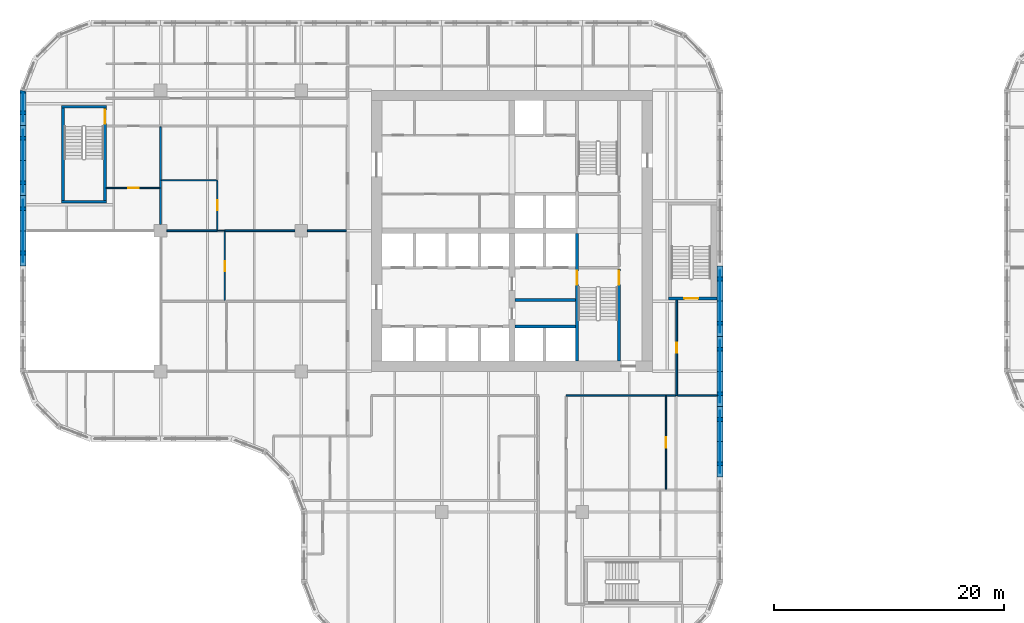
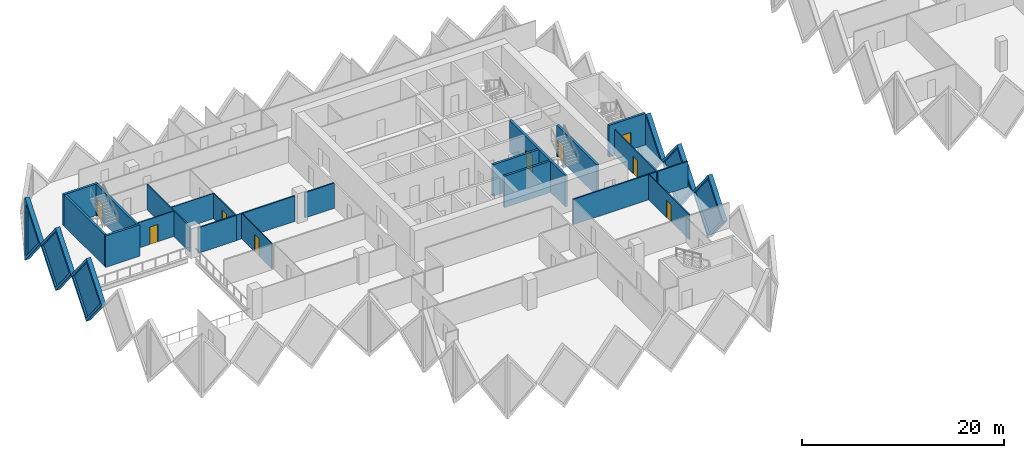
# One storey, part 7 of 18: 28 walls, 9 doors, 6 plates, 15 openings.
"""IFC4 building model written with IfcOpenShell, lengths in metres."""

from ifc_helpers import new_model, si_unit, direction, frame, frame_2d, origin, place, context, subcontext, project, spatial, polyline, rectangle, outline, extrude, faceted_brep, source, transform, mapped, material, layer, layer_set, type_object, element, fill, save


model = new_model("IFC4")

# Units and contexts
model_context = context("Model", 3, precision=1e-05, world=origin(), true_north=direction((0.0, 1.0)))
body_context = subcontext(model_context, "Body", "Model", "MODEL_VIEW")
ifc_project = project(units=[si_unit("LENGTHUNIT", "METRE"), si_unit("AREAUNIT", "SQUARE_METRE"), si_unit("VOLUMEUNIT", "CUBIC_METRE"), si_unit("PLANEANGLEUNIT", "RADIAN"), si_unit("MASSUNIT", "GRAM", prefix="KILO")], contexts=[model_context])

# Site, building, storey
site_placement = place(None, origin())
site = spatial("IfcSite", under=ifc_project, at=site_placement, CompositionType="ELEMENT")
building_placement = place(site_placement, origin())
building = spatial("IfcBuilding", under=site, at=building_placement, Name="Tessera Gate Towers", CompositionType="ELEMENT")
storey_placement = place(building_placement, frame((0.0, 0.0, 44.800048828125)))
storey = spatial("IfcBuildingStorey", under=building, at=storey_placement, Name="L10", CompositionType="ELEMENT", Elevation=44.800048828125)

# Wall, opening, door
ifc_material_1 = material(Name="Concrete C40/50", Category="concrete")
ifc_layer_1 = layer(ifc_material_1, 0.25)
ifc_layer_set_1 = layer_set([ifc_layer_1], Name="CORE ENCLOSURE WALL 250")
wall_type_1 = type_object("IfcWallType", Name="CORE ENCLOSURE WALL 250", PredefinedType="SOLIDWALL", material=ifc_layer_set_1)
wall_1_placement = place(storey_placement, frame((48.35009765625, 36.35009765625, 0.0), z_axis=(0.0, 0.0, 1.0), x_axis=(0.0, -1.0, 0.0)))
wall_1 = element("IfcWall", 1, at=wall_1_placement, inside=storey, type_object=wall_type_1, Name="L10 shaft and stair enclosure wall", PredefinedType="SOLIDWALL", context=body_context, shape_type="SweptSolid", body=[
    extrude(rectangle(XDim=11.050048828125, YDim=0.25, at=frame_2d((5.52490234375, 0.0))), origin(), (0.0, 0.0, 1.0), 3.800048828125),
])
shared_shape_1 = source(origin(), body_context, "Body", "SweptSolid", [
    extrude(rectangle(XDim=1.199951171875, YDim=2.10009765625, at=frame_2d((0.60009765625, 1.050048828125))), frame((0.0, 0.135009765625, 0.0), z_axis=(0.0, -1.0, 0.0), x_axis=(1.0, 0.0, 0.0)), (0.0, 0.0, 1.0), 0.27001953125),
])
opening_1_placement = place(wall_1_placement, frame((3.22509765625, 0.0, 0.0)))
opening_1 = element("IfcOpeningElement", 2, at=opening_1_placement, cuts=wall_1, Name="Opening SD-ST1-1", PredefinedType="OPENING", context=body_context, shape_type="MappedRepresentation", body=[
    mapped(shared_shape_1, transform((0.0, 0.0, 0.0), scale=1.0)),
])
ifc_material_2 = material(Name="Hollow steel fire door", Category="steel")
door_type_1 = type_object("IfcDoorType", Name="CORE DOOR SD 1200x2100", OperationType="NOTDEFINED", PredefinedType="DOOR", material=ifc_material_2)
shared_shape_2 = source(origin(), body_context, "Body", "SweptSolid", [
    extrude(rectangle(XDim=1.199951171875, YDim=2.10009765625, at=frame_2d((0.60009765625, 1.050048828125))), frame((0.0, 0.02490234375, 0.0), z_axis=(0.0, -1.0, 0.0), x_axis=(1.0, 0.0, 0.0)), (0.0, 0.0, 1.0), 0.050048828125),
])
door_1_placement = place(opening_1_placement, origin())
door_1 = element("IfcDoor", 3, at=door_1_placement, inside=storey, type_object=door_type_1, Name="Stair door", OperationType="SINGLE_SWING_LEFT", OverallHeight=2.10009765625, OverallWidth=1.199951171875, PredefinedType="DOOR", context=body_context, shape_type="MappedRepresentation", body=[
    mapped(shared_shape_2, transform((0.0, 0.0, 0.0), scale=1.0)),
])
fill(opening_1, door_1)

# Wall
wall_2_placement = place(storey_placement, frame((42.949951171875, 28.300048828125, 0.0), z_axis=(0.0, 0.0, 1.0), x_axis=(1.0, 0.0, 0.0)))
element("IfcWall", 4, at=wall_2_placement, inside=storey, type_object=wall_type_1, Name="L10 shaft and stair enclosure wall", PredefinedType="SOLIDWALL", context=body_context, shape_type="SweptSolid", body=[
    extrude(rectangle(XDim=5.275146484375, YDim=0.25, at=frame_2d((2.6376953125, 0.0))), origin(), (0.0, 0.0, 1.0), 3.800048828125),
])

# Wall, opening, door
wall_3_placement = place(storey_placement, frame((52.0, 25.300048828125, 0.0), z_axis=(0.0, 0.0, 1.0), x_axis=(0.0, 1.0, 0.0)))
wall_3 = element("IfcWall", 5, at=wall_3_placement, inside=storey, type_object=wall_type_1, Name="L10 shaft and stair enclosure wall", PredefinedType="SOLIDWALL", context=body_context, shape_type="SweptSolid", body=[
    extrude(rectangle(XDim=7.974853515625, YDim=0.25, at=frame_2d((3.9873046875, 0.0))), origin(), (0.0, 0.0, 1.0), 3.800048828125),
])
opening_2_placement = place(wall_3_placement, frame((6.625, 0.0, 0.0)))
opening_2 = element("IfcOpeningElement", 6, at=opening_2_placement, cuts=wall_3, Name="Opening SD-ST1-2", PredefinedType="OPENING", context=body_context, shape_type="MappedRepresentation", body=[
    mapped(shared_shape_1, transform((0.0, 0.0, 0.0), scale=1.0)),
])
door_2_placement = place(opening_2_placement, origin())
door_2 = element("IfcDoor", 7, at=door_2_placement, inside=storey, type_object=door_type_1, Name="Stair door", OperationType="SINGLE_SWING_RIGHT", OverallHeight=2.10009765625, OverallWidth=1.199951171875, PredefinedType="DOOR", context=body_context, shape_type="MappedRepresentation", body=[
    mapped(shared_shape_2, transform((0.0, 0.0, 0.0), scale=1.0)),
])
fill(opening_2, door_2)

# Walls
wall_4_placement = place(storey_placement, frame((42.949951171875, 30.60009765625, 0.0), z_axis=(0.0, 0.0, 1.0), x_axis=(1.0, 0.0, 0.0)))
element("IfcWall", 8, at=wall_4_placement, inside=storey, type_object=wall_type_1, Name="L10 shaft and stair enclosure wall", PredefinedType="SOLIDWALL", context=body_context, shape_type="SweptSolid", body=[
    extrude(rectangle(XDim=5.275146484375, YDim=0.25, at=frame_2d((2.6376953125, 0.0))), origin(), (0.0, 0.0, 1.0), 3.800048828125),
])
wall_5_placement = place(storey_placement, frame((7.5, 39.125, 0.0), z_axis=(0.0, 0.0, 1.0), x_axis=(-1.0, 0.0, 0.0)))
element("IfcWall", 9, at=wall_5_placement, inside=storey, type_object=wall_type_1, Name="L10 ST3 enclosure wall", PredefinedType="SOLIDWALL", context=body_context, shape_type="SweptSolid", body=[
    extrude(rectangle(XDim=3.89990234375, YDim=0.25, at=frame_2d((1.949951171875, 0.0))), origin(), (0.0, 0.0, 1.0), 3.800048828125),
])
wall_6_placement = place(storey_placement, frame((3.72509765625, 39.25, 0.0), z_axis=(0.0, 0.0, 1.0), x_axis=(0.0, 1.0, 0.0)))
element("IfcWall", 10, at=wall_6_placement, inside=storey, type_object=wall_type_1, Name="L10 ST3 enclosure wall", PredefinedType="SOLIDWALL", context=body_context, shape_type="SweptSolid", body=[
    extrude(rectangle(XDim=8.0, YDim=0.25, at=frame_2d((4.0, 0.0))), origin(), (0.0, 0.0, 1.0), 3.800048828125),
])
wall_7_placement = place(storey_placement, frame((3.60009765625, 47.375, 0.0), z_axis=(0.0, 0.0, 1.0), x_axis=(1.0, 0.0, 0.0)))
element("IfcWall", 11, at=wall_7_placement, inside=storey, type_object=wall_type_1, Name="L10 ST3 enclosure wall", PredefinedType="SOLIDWALL", context=body_context, shape_type="SweptSolid", body=[
    extrude(rectangle(XDim=3.89990234375, YDim=0.25, at=frame_2d((1.949951171875, 0.0))), origin(), (0.0, 0.0, 1.0), 3.800048828125),
])

# Wall, opening, door
wall_8_placement = place(storey_placement, frame((7.375, 47.25, 0.0), z_axis=(0.0, 0.0, 1.0), x_axis=(0.0, -1.0, 0.0)))
wall_8 = element("IfcWall", 12, at=wall_8_placement, inside=storey, type_object=wall_type_1, Name="L10 ST3 enclosure wall", PredefinedType="SOLIDWALL", context=body_context, shape_type="SweptSolid", body=[
    extrude(rectangle(XDim=8.0, YDim=0.25, at=frame_2d((4.0, 0.0))), origin(), (0.0, 0.0, 1.0), 3.800048828125),
])
opening_3_placement = place(wall_8_placement, frame((0.14990234375, 0.0, 0.0)))
opening_3 = element("IfcOpeningElement", 13, at=opening_3_placement, cuts=wall_8, Name="Opening SD-ST3-1", PredefinedType="OPENING", context=body_context, shape_type="MappedRepresentation", body=[
    mapped(shared_shape_1, transform((0.0, 0.0, 0.0), scale=1.0)),
])
door_3_placement = place(opening_3_placement, origin())
door_3 = element("IfcDoor", 14, at=door_3_placement, inside=storey, type_object=door_type_1, Name="Stair door", OperationType="SINGLE_SWING_LEFT", OverallHeight=2.10009765625, OverallWidth=1.199951171875, PredefinedType="DOOR", context=body_context, shape_type="MappedRepresentation", body=[
    mapped(shared_shape_2, transform((0.0, 0.0, 0.0), scale=1.0)),
])
fill(opening_3, door_3)

wall_9_placement = place(storey_placement, frame((60.5, 30.72509765625, 0.0), z_axis=(0.0, 0.0, 1.0), x_axis=(-1.0, 0.0, 0.0)))
wall_9 = element("IfcWall", 15, at=wall_9_placement, inside=storey, type_object=wall_type_1, Name="L10 ST5 enclosure wall", PredefinedType="SOLIDWALL", context=body_context, shape_type="SweptSolid", body=[
    extrude(rectangle(XDim=4.199951171875, YDim=0.25, at=frame_2d((2.10009765625, 0.0))), origin(), (0.0, 0.0, 1.0), 3.800048828125),
])
opening_4_placement = place(wall_9_placement, frame((1.64990234375, 0.0, 0.0)))
opening_4 = element("IfcOpeningElement", 16, at=opening_4_placement, cuts=wall_9, Name="Opening SD-ST5-1", PredefinedType="OPENING", context=body_context, shape_type="MappedRepresentation", body=[
    mapped(shared_shape_1, transform((0.0, 0.0, 0.0), scale=1.0)),
])
door_4_placement = place(opening_4_placement, origin())
door_4 = element("IfcDoor", 17, at=door_4_placement, inside=storey, type_object=door_type_1, Name="Stair door", OperationType="SINGLE_SWING_RIGHT", OverallHeight=2.10009765625, OverallWidth=1.199951171875, PredefinedType="DOOR", context=body_context, shape_type="MappedRepresentation", body=[
    mapped(shared_shape_2, transform((0.0, 0.0, 0.0), scale=1.0)),
])
fill(opening_4, door_4)

# Wall
ifc_material_3 = material(Name="Gypsum board on steel studs, mineral wool", Category="steel")
ifc_layer_2 = layer(ifc_material_3, 0.14990234375)
ifc_layer_set_2 = layer_set([ifc_layer_2], Name="CORRIDOR WALL 150")
wall_type_2 = type_object("IfcWallType", Name="CORRIDOR WALL 150", PredefinedType="PARTITIONING", material=ifc_layer_set_2)
wall_10_placement = place(storey_placement, frame((47.39990234375, 22.300048828125, 0.0), z_axis=(0.0, 0.0, 1.0), x_axis=(1.0, 0.0, 0.0)))
element("IfcWall", 18, at=wall_10_placement, inside=storey, type_object=wall_type_2, Name="T1-L10-PW-023", PredefinedType="PARTITIONING", context=body_context, shape_type="SweptSolid", body=[
    extrude(rectangle(XDim=9.524169921875, YDim=0.14990234375, at=frame_2d((4.76220703125, 0.0))), origin(), (0.0, 0.0, 1.0), 3.06689453125),
])

# Wall, opening, door
wall_11_placement = place(storey_placement, frame((57.0, 30.60009765625, 0.0), z_axis=(0.0, 0.0, 1.0), x_axis=(0.0, -1.0, 0.0)))
wall_11 = element("IfcWall", 19, at=wall_11_placement, inside=storey, type_object=wall_type_2, Name="T1-L10-PW-024", PredefinedType="PARTITIONING", context=body_context, shape_type="SweptSolid", body=[
    extrude(rectangle(XDim=8.300048828125, YDim=0.14990234375, at=frame_2d((4.14990234375, 0.0))), origin(), (0.0, 0.0, 1.0), 3.06689453125),
])
shared_shape_3 = source(origin(), body_context, "Body", "SweptSolid", [
    extrude(rectangle(XDim=0.89990234375, YDim=2.10009765625, at=frame_2d((0.449951171875, 1.050048828125))), frame((0.0, 0.0849609375, 0.0), z_axis=(0.0, -1.0, 0.0), x_axis=(1.0, 0.0, 0.0)), (0.0, 0.0, 1.0), 0.169921875),
])
opening_5_placement = place(wall_11_placement, frame((3.699951171875, 0.0, 0.0)))
opening_5 = element("IfcOpeningElement", 20, at=opening_5_placement, cuts=wall_11, Name="Opening D890FD60-A03-06", PredefinedType="OPENING", context=body_context, shape_type="MappedRepresentation", body=[
    mapped(shared_shape_3, transform((0.0, 0.0, 0.0), scale=1.0)),
])
ifc_material_4 = material(Name="Timber door leaf in steel frame", Category="steel")
door_type_2 = type_object("IfcDoorType", Name="CORRIDOR DOOR 900 FD60", OperationType="NOTDEFINED", PredefinedType="DOOR", material=ifc_material_4)
shared_shape_4 = source(origin(), body_context, "Body", "SweptSolid", [
    extrude(rectangle(XDim=0.89990234375, YDim=2.10009765625, at=frame_2d((0.449951171875, 1.050048828125))), frame((0.0, 0.02490234375, 0.0), z_axis=(0.0, -1.0, 0.0), x_axis=(1.0, 0.0, 0.0)), (0.0, 0.0, 1.0), 0.050048828125),
])
door_5_placement = place(opening_5_placement, origin())
door_5 = element("IfcDoor", 21, at=door_5_placement, inside=storey, type_object=door_type_2, Name="T1-L10-PD-021", OperationType="SINGLE_SWING_RIGHT", OverallHeight=2.10009765625, OverallWidth=0.89990234375, PredefinedType="DOOR", context=body_context, shape_type="MappedRepresentation", body=[
    mapped(shared_shape_4, transform((0.0, 0.0, 0.0), scale=1.0)),
])
fill(opening_5, door_5)

ifc_material_5 = material(Name="Glass", Category="glass")
ifc_layer_3 = layer(ifc_material_5, 0.10009765625)
ifc_layer_set_3 = layer_set([ifc_layer_3], Name="GLAZED PARTITION 100")
wall_type_3 = type_object("IfcWallType", Name="GLAZED PARTITION 100", PredefinedType="PARTITIONING", material=ifc_layer_set_3)
wall_12_placement = place(storey_placement, frame((56.06494140625, 22.22412109375, 0.0), z_axis=(0.0, 0.0, 1.0), x_axis=(0.0, -1.0, 0.0)))
wall_12 = element("IfcWall", 22, at=wall_12_placement, inside=storey, type_object=wall_type_3, Name="T1-L10-PW-014", PredefinedType="PARTITIONING", context=body_context, shape_type="SweptSolid", body=[
    extrude(rectangle(XDim=8.048095703125, YDim=0.10009765625, at=frame_2d((4.02392578125, 0.0))), origin(), (0.0, 0.0, 1.0), 3.06689453125),
])
shared_shape_5 = source(origin(), body_context, "Body", "SweptSolid", [
    extrude(rectangle(XDim=0.89990234375, YDim=2.10009765625, at=frame_2d((0.449951171875, 1.050048828125))), frame((0.0, 0.06005859375, 0.0), z_axis=(0.0, -1.0, 0.0), x_axis=(1.0, 0.0, 0.0)), (0.0, 0.0, 1.0), 0.1201171875),
])
opening_6_placement = place(wall_12_placement, frame((3.548095703125, 0.0, 0.0)))
opening_6 = element("IfcOpeningElement", 23, at=opening_6_placement, cuts=wall_12, Name="Opening D690-A03-04", PredefinedType="OPENING", context=body_context, shape_type="MappedRepresentation", body=[
    mapped(shared_shape_5, transform((0.0, 0.0, 0.0), scale=1.0)),
])
ifc_material_6 = material(Name="Glass in aluminium frame", Category="aluminium")
door_type_3 = type_object("IfcDoorType", Name="GLAZED DOOR 900 NOT RATED", OperationType="NOTDEFINED", PredefinedType="DOOR", material=ifc_material_6)
door_6_placement = place(opening_6_placement, origin())
door_6 = element("IfcDoor", 24, at=door_6_placement, inside=storey, type_object=door_type_3, Name="T1-L10-PD-019", OperationType="SINGLE_SWING_RIGHT", OverallHeight=2.10009765625, OverallWidth=0.89990234375, PredefinedType="DOOR", context=body_context, shape_type="MappedRepresentation", body=[
    mapped(shared_shape_4, transform((0.0, 0.0, 0.0), scale=1.0)),
])
fill(opening_6, door_6)

wall_13_placement = place(storey_placement, frame((17.77490234375, 30.575927734375, 0.0), z_axis=(0.0, 0.0, 1.0), x_axis=(0.0, 1.0, 0.0)))
wall_13 = element("IfcWall", 25, at=wall_13_placement, inside=storey, type_object=wall_type_3, Name="T1-L10-PW-032", PredefinedType="PARTITIONING", context=body_context, shape_type="SweptSolid", body=[
    extrude(rectangle(XDim=5.947998046875, YDim=0.10009765625, at=frame_2d((2.97412109375, 0.0))), origin(), (0.0, 0.0, 1.0), 3.06689453125),
])
opening_7_placement = place(wall_13_placement, frame((2.5, 0.0, 0.0)))
opening_7 = element("IfcOpeningElement", 26, at=opening_7_placement, cuts=wall_13, Name="Opening D690-A03-03", PredefinedType="OPENING", context=body_context, shape_type="MappedRepresentation", body=[
    mapped(shared_shape_5, transform((0.0, 0.0, 0.0), scale=1.0)),
])
door_7_placement = place(opening_7_placement, origin())
door_7 = element("IfcDoor", 27, at=door_7_placement, inside=storey, type_object=door_type_3, Name="T1-L10-PD-014", OperationType="SINGLE_SWING_LEFT", OverallHeight=2.10009765625, OverallWidth=0.89990234375, PredefinedType="DOOR", context=body_context, shape_type="MappedRepresentation", body=[
    mapped(shared_shape_4, transform((0.0, 0.0, 0.0), scale=1.0)),
])
fill(opening_7, door_7)

# Wall
wall_14_placement = place(storey_placement, frame((17.1259765625, 36.60009765625, 0.0), z_axis=(0.0, 0.0, 1.0), x_axis=(1.0, 0.0, 0.0)))
element("IfcWall", 28, at=wall_14_placement, inside=storey, type_object=wall_type_3, Name="T1-L10-PW-034", PredefinedType="PARTITIONING", context=body_context, shape_type="SweptSolid", body=[
    extrude(rectangle(XDim=0.64794921875, YDim=0.10009765625, at=frame_2d((0.323974609375, 0.0))), origin(), (0.0, 0.0, 1.0), 3.06689453125),
])

# Wall, opening, door
ifc_material_7 = material(Name="Gypsum board on steel studs", Category="steel")
ifc_layer_4 = layer(ifc_material_7, 0.10009765625)
ifc_layer_set_4 = layer_set([ifc_layer_4], Name="PARTITION 100")
wall_type_4 = type_object("IfcWallType", Name="PARTITION 100", PredefinedType="PARTITIONING", material=ifc_layer_set_4)
wall_15_placement = place(storey_placement, frame((17.125, 36.676025390625, 0.0), z_axis=(0.0, 0.0, 1.0), x_axis=(0.0, 1.0, 0.0)))
wall_15 = element("IfcWall", 29, at=wall_15_placement, inside=storey, type_object=wall_type_4, Name="T1-L10-PW-037", PredefinedType="PARTITIONING", context=body_context, shape_type="SweptSolid", body=[
    extrude(rectangle(XDim=4.26904296875, YDim=0.10009765625, at=frame_2d((2.134521484375, 0.0))), origin(), (0.0, 0.0, 1.0), 3.06689453125),
])
opening_8_placement = place(wall_15_placement, frame((1.699951171875, 0.0, 0.0)))
opening_8 = element("IfcOpeningElement", 30, at=opening_8_placement, cuts=wall_15, Name="Opening D190-A03-02", PredefinedType="OPENING", context=body_context, shape_type="MappedRepresentation", body=[
    mapped(shared_shape_5, transform((0.0, 0.0, 0.0), scale=1.0)),
])
ifc_material_8 = material(Name="Timber door leaf in steel frame", Category="steel")
door_type_4 = type_object("IfcDoorType", Name="INTERNAL DOOR 900 NOT RATED", OperationType="NOTDEFINED", PredefinedType="DOOR", material=ifc_material_8)
door_8_placement = place(opening_8_placement, origin())
door_8 = element("IfcDoor", 31, at=door_8_placement, inside=storey, type_object=door_type_4, Name="T1-L10-PD-003", OperationType="SINGLE_SWING_LEFT", OverallHeight=2.10009765625, OverallWidth=0.89990234375, PredefinedType="DOOR", context=body_context, shape_type="MappedRepresentation", body=[
    mapped(shared_shape_4, transform((0.0, 0.0, 0.0), scale=1.0)),
])
fill(opening_8, door_8)

wall_16_placement = place(storey_placement, frame((12.1240234375, 40.31494140625, 0.0), z_axis=(0.0, 0.0, 1.0), x_axis=(-1.0, 0.0, 0.0)))
wall_16 = element("IfcWall", 32, at=wall_16_placement, inside=storey, type_object=wall_type_4, Name="T1-L10-PW-039", PredefinedType="PARTITIONING", context=body_context, shape_type="SweptSolid", body=[
    extrude(rectangle(XDim=4.6240234375, YDim=0.10009765625, at=frame_2d((2.31201171875, 0.0))), origin(), (0.0, 0.0, 1.0), 3.06689453125),
])
opening_9_placement = place(wall_16_placement, frame((1.823974609375, 0.0, 0.0)))
opening_9 = element("IfcOpeningElement", 33, at=opening_9_placement, cuts=wall_16, Name="Opening D190-A03-05", PredefinedType="OPENING", context=body_context, shape_type="MappedRepresentation", body=[
    mapped(shared_shape_5, transform((0.0, 0.0, 0.0), scale=1.0)),
])
door_9_placement = place(opening_9_placement, origin())
door_9 = element("IfcDoor", 34, at=door_9_placement, inside=storey, type_object=door_type_4, Name="T1-L10-PD-006", OperationType="SINGLE_SWING_RIGHT", OverallHeight=2.10009765625, OverallWidth=0.89990234375, PredefinedType="DOOR", context=body_context, shape_type="MappedRepresentation", body=[
    mapped(shared_shape_4, transform((0.0, 0.0, 0.0), scale=1.0)),
])
fill(opening_9, door_9)

# Walls
wall_17_placement = place(storey_placement, frame((12.27587890625, 40.99609375, 0.0), z_axis=(0.0, 0.0, 1.0), x_axis=(1.0, 0.0, 0.0)))
element("IfcWall", 35, at=wall_17_placement, inside=storey, type_object=wall_type_4, Name="T1-L10-PW-040", PredefinedType="PARTITIONING", context=body_context, shape_type="SweptSolid", body=[
    extrude(rectangle(XDim=4.84912109375, YDim=0.10009765625, at=frame_2d((2.424560546875, 0.0))), origin(), (0.0, 0.0, 1.0), 3.06689453125),
])
ifc_material_9 = material(Name="Gypsum board on steel studs, mineral wool", Category="steel")
ifc_layer_5 = layer(ifc_material_9, 0.14990234375)
ifc_layer_set_5 = layer_set([ifc_layer_5], Name="TENANCY WALL 150")
wall_type_5 = type_object("IfcWallType", Name="TENANCY WALL 150", PredefinedType="PARTITIONING", material=ifc_layer_set_5)
wall_18_placement = place(storey_placement, frame((57.075927734375, 22.300048828125, 0.0), z_axis=(0.0, 0.0, 1.0), x_axis=(1.0, 0.0, 0.0)))
element("IfcWall", 36, at=wall_18_placement, inside=storey, type_object=wall_type_5, Name="T1-L10-PW-025", PredefinedType="PARTITIONING", context=body_context, shape_type="SweptSolid", body=[
    extrude(rectangle(XDim=3.424072265625, YDim=0.14990234375, at=frame_2d((1.7119140625, 0.0))), origin(), (0.0, 0.0, 1.0), 3.06689453125),
])
wall_19_placement = place(storey_placement, frame((12.7509765625, 36.60009765625, 0.0), z_axis=(0.0, 0.0, 1.0), x_axis=(1.0, 0.0, 0.0)))
element("IfcWall", 37, at=wall_19_placement, inside=storey, type_object=wall_type_5, Name="T1-L10-PW-033", PredefinedType="PARTITIONING", context=body_context, shape_type="SweptSolid", body=[
    extrude(rectangle(XDim=4.3740234375, YDim=0.14990234375, at=frame_2d((2.18701171875, 0.0))), origin(), (0.0, 0.0, 1.0), 3.06689453125),
])
wall_20_placement = place(storey_placement, frame((17.77490234375, 36.60009765625, 0.0), z_axis=(0.0, 0.0, 1.0), x_axis=(1.0, 0.0, 0.0)))
element("IfcWall", 38, at=wall_20_placement, inside=storey, type_object=wall_type_5, Name="T1-L10-PW-035", PredefinedType="PARTITIONING", context=body_context, shape_type="SweptSolid", body=[
    extrude(rectangle(XDim=6.07421875, YDim=0.14990234375, at=frame_2d((3.037109375, 0.0))), origin(), (0.0, 0.0, 1.0), 3.06689453125),
])
wall_21_placement = place(storey_placement, frame((24.950927734375, 36.60009765625, 0.0), z_axis=(0.0, 0.0, 1.0), x_axis=(1.0, 0.0, 0.0)))
element("IfcWall", 39, at=wall_21_placement, inside=storey, type_object=wall_type_5, Name="T1-L10-PW-036", PredefinedType="PARTITIONING", context=body_context, shape_type="SweptSolid", body=[
    extrude(rectangle(XDim=3.373046875, YDim=0.14990234375, at=frame_2d((1.6865234375, 0.0))), origin(), (0.0, 0.0, 1.0), 3.06689453125),
])
wall_22_placement = place(storey_placement, frame((12.199951171875, 37.15087890625, 0.0), z_axis=(0.0, 0.0, 1.0), x_axis=(0.0, 1.0, 0.0)))
element("IfcWall", 40, at=wall_22_placement, inside=storey, type_object=wall_type_5, Name="T1-L10-PW-038", PredefinedType="PARTITIONING", context=body_context, shape_type="SweptSolid", body=[
    extrude(rectangle(XDim=8.47314453125, YDim=0.14990234375, at=frame_2d((4.236572265625, 0.0))), origin(), (0.0, 0.0, 1.0), 3.06689453125),
])

# Wall, opening, plate
ifc_material_10 = material(Name="Precast concrete C60/75 white", Category="concrete")
ifc_layer_6 = layer(ifc_material_10, 0.5)
ifc_layer_set_6 = layer_set([ifc_layer_6], Name="TS1 tessera")
wall_type_6 = type_object("IfcWallType", Name="TS1 tessera", PredefinedType="SOLIDWALL", material=ifc_layer_set_6)
shared_shape_6 = source(origin(), body_context, "Body", "Brep", [
    faceted_brep([(3.050048828125, -0.25, 0.0), (6.099853515625, -0.25, 3.7998046875), (6.099853515625, -0.25, 3.80029296875), (3.050048828125, -0.25, 7.60009765625), (0.0, -0.25, 3.800048828125), (0.0, 0.25, 3.800048828125), (3.050048828125, 0.25, 7.60009765625), (6.099853515625, 0.25, 3.80029296875), (6.099853515625, 0.25, 3.7998046875), (3.050048828125, 0.25, 0.0)], [[[0, 1, 2, 3, 4]], [[5, 6, 7, 8, 9]], [[9, 8, 1, 0]], [[7, 6, 3, 2]], [[6, 5, 4, 3]], [[5, 9, 0, 4]], [[1, 8, 7, 2]]]),
])
wall_23_placement = place(storey_placement, frame((60.75, 21.35009765625, -3.800048828125), z_axis=(0.0, 0.0, 1.0), x_axis=(0.0, 1.0, 0.0)))
wall_23 = element("IfcWall", 41, at=wall_23_placement, inside=storey, type_object=wall_type_6, Name="Precast tessera T1 TS1-0121", PredefinedType="SOLIDWALL", context=body_context, shape_type="MappedRepresentation", body=[
    mapped(shared_shape_6, transform((0.0, 0.0, 0.0), scale=1.0)),
])
shared_shape_7 = source(origin(), body_context, "Body", "SweptSolid", [
    extrude(outline(polyline([(3.050048828125, 0.3994140625), (5.779541015625, 3.800048828125), (3.050048828125, 7.20068359375), (0.320556640625, 3.800048828125), (3.050048828125, 0.3994140625)])), frame((0.0, 0.260009765625, 0.0), z_axis=(0.0, -1.0, 0.0), x_axis=(1.0, 0.0, 0.0)), (0.0, 0.0, 1.0), 0.52001953125),
])
opening_10_placement = place(wall_23_placement, origin())
opening_10 = element("IfcOpeningElement", 42, at=opening_10_placement, cuts=wall_23, Name="Opening T1-PL2-0245", PredefinedType="OPENING", context=body_context, shape_type="MappedRepresentation", body=[
    mapped(shared_shape_7, transform((0.0, 0.0, 0.0), scale=1.0)),
])
ifc_material_11 = material(Name="Low-e laminated glass", Category="glass")
ifc_layer_7 = layer(ifc_material_11, 0.06005859375)
ifc_layer_set_7 = layer_set([ifc_layer_7], Name="PL2 rhombic pane")
plate_type = type_object("IfcPlateType", Name="PL2 rhombic pane", PredefinedType="SHEET", material=ifc_layer_set_7)
shared_shape_8 = source(origin(), body_context, "Body", "SweptSolid", [
    extrude(outline(polyline([(3.050048828125, 0.3994140625), (5.779541015625, 3.800048828125), (3.050048828125, 7.20068359375), (0.320556640625, 3.800048828125), (3.050048828125, 0.3994140625)])), frame((0.0, 0.030029296875, 0.0), z_axis=(0.0, -1.0, 0.0), x_axis=(1.0, 0.0, 0.0)), (0.0, 0.0, 1.0), 0.06005859375),
])
plate_1_placement = place(opening_10_placement, origin())
plate_1 = element("IfcPlate", 43, at=plate_1_placement, inside=storey, type_object=plate_type, Name="Glass pane T1 PL2-0245", PredefinedType="SHEET", context=body_context, shape_type="MappedRepresentation", body=[
    mapped(shared_shape_8, transform((0.0, 0.0, 0.0), scale=1.0)),
])
fill(opening_10, plate_1)

wall_24_placement = place(storey_placement, frame((0.25, 39.64990234375, -3.800048828125), z_axis=(0.0, 0.0, 1.0), x_axis=(0.0, -1.0, 0.0)))
wall_24 = element("IfcWall", 44, at=wall_24_placement, inside=storey, type_object=wall_type_6, Name="Precast tessera T1 TS1-0134", PredefinedType="SOLIDWALL", context=body_context, shape_type="MappedRepresentation", body=[
    mapped(shared_shape_6, transform((0.0, 0.0, 0.0), scale=1.0)),
])
opening_11_placement = place(wall_24_placement, origin())
opening_11 = element("IfcOpeningElement", 45, at=opening_11_placement, cuts=wall_24, Name="Opening T1-PL2-0266", PredefinedType="OPENING", context=body_context, shape_type="MappedRepresentation", body=[
    mapped(shared_shape_7, transform((0.0, 0.0, 0.0), scale=1.0)),
])
plate_2_placement = place(opening_11_placement, origin())
plate_2 = element("IfcPlate", 46, at=plate_2_placement, inside=storey, type_object=plate_type, Name="Glass pane T1 PL2-0266", PredefinedType="SHEET", context=body_context, shape_type="MappedRepresentation", body=[
    mapped(shared_shape_8, transform((0.0, 0.0, 0.0), scale=1.0)),
])
fill(opening_11, plate_2)

shared_shape_9 = source(origin(), body_context, "Body", "SweptSolid", [
    extrude(outline(polyline([(3.050048828125, 0.0), (6.10009765625, 3.800048828125), (3.050048828125, 7.60009765625), (0.0, 3.800048828125), (3.050048828125, 0.0)])), frame((0.0, 0.25, 0.0), z_axis=(0.0, -1.0, 0.0), x_axis=(1.0, 0.0, 0.0)), (0.0, 0.0, 1.0), 0.5),
])
wall_25_placement = place(storey_placement, frame((60.75, 15.25, -3.800048828125), z_axis=(0.0, 0.0, 1.0), x_axis=(0.0, 1.0, 0.0)))
wall_25 = element("IfcWall", 47, at=wall_25_placement, inside=storey, type_object=wall_type_6, Name="Precast tessera T1 TS1-0120", PredefinedType="SOLIDWALL", context=body_context, shape_type="MappedRepresentation", body=[
    mapped(shared_shape_9, transform((0.0, 0.0, 0.0), scale=1.0)),
])
opening_12_placement = place(wall_25_placement, origin())
opening_12 = element("IfcOpeningElement", 48, at=opening_12_placement, cuts=wall_25, Name="Opening T1-PL2-0244", PredefinedType="OPENING", context=body_context, shape_type="MappedRepresentation", body=[
    mapped(shared_shape_7, transform((0.0, 0.0, 0.0), scale=1.0)),
])
plate_3_placement = place(opening_12_placement, origin())
plate_3 = element("IfcPlate", 49, at=plate_3_placement, inside=storey, type_object=plate_type, Name="Glass pane T1 PL2-0244", PredefinedType="SHEET", context=body_context, shape_type="MappedRepresentation", body=[
    mapped(shared_shape_8, transform((0.0, 0.0, 0.0), scale=1.0)),
])
fill(opening_12, plate_3)

wall_26_placement = place(storey_placement, frame((60.75, 27.449951171875, -3.800048828125), z_axis=(0.0, 0.0, 1.0), x_axis=(0.0, 1.0, 0.0)))
wall_26 = element("IfcWall", 50, at=wall_26_placement, inside=storey, type_object=wall_type_6, Name="Precast tessera T1 TS1-0122", PredefinedType="SOLIDWALL", context=body_context, shape_type="MappedRepresentation", body=[
    mapped(shared_shape_9, transform((0.0, 0.0, 0.0), scale=1.0)),
])
opening_13_placement = place(wall_26_placement, origin())
opening_13 = element("IfcOpeningElement", 51, at=opening_13_placement, cuts=wall_26, Name="Opening T1-PL2-0246", PredefinedType="OPENING", context=body_context, shape_type="MappedRepresentation", body=[
    mapped(shared_shape_7, transform((0.0, 0.0, 0.0), scale=1.0)),
])
plate_4_placement = place(opening_13_placement, origin())
plate_4 = element("IfcPlate", 52, at=plate_4_placement, inside=storey, type_object=plate_type, Name="Glass pane T1 PL2-0246", PredefinedType="SHEET", context=body_context, shape_type="MappedRepresentation", body=[
    mapped(shared_shape_8, transform((0.0, 0.0, 0.0), scale=1.0)),
])
fill(opening_13, plate_4)

wall_27_placement = place(storey_placement, frame((0.25, 45.75, -3.800048828125), z_axis=(0.0, 0.0, 1.0), x_axis=(0.0, -1.0, 0.0)))
wall_27 = element("IfcWall", 53, at=wall_27_placement, inside=storey, type_object=wall_type_6, Name="Precast tessera T1 TS1-0133", PredefinedType="SOLIDWALL", context=body_context, shape_type="MappedRepresentation", body=[
    mapped(shared_shape_9, transform((0.0, 0.0, 0.0), scale=1.0)),
])
opening_14_placement = place(wall_27_placement, origin())
opening_14 = element("IfcOpeningElement", 54, at=opening_14_placement, cuts=wall_27, Name="Opening T1-PL2-0265", PredefinedType="OPENING", context=body_context, shape_type="MappedRepresentation", body=[
    mapped(shared_shape_7, transform((0.0, 0.0, 0.0), scale=1.0)),
])
plate_5_placement = place(opening_14_placement, origin())
plate_5 = element("IfcPlate", 55, at=plate_5_placement, inside=storey, type_object=plate_type, Name="Glass pane T1 PL2-0265", PredefinedType="SHEET", context=body_context, shape_type="MappedRepresentation", body=[
    mapped(shared_shape_8, transform((0.0, 0.0, 0.0), scale=1.0)),
])
fill(opening_14, plate_5)

ifc_material_12 = material(Name="Precast concrete C60/75 white", Category="concrete")
ifc_layer_8 = layer(ifc_material_12, 0.5)
ifc_layer_set_8 = layer_set([ifc_layer_8], Name="TS3 corner tessera")
wall_type_7 = type_object("IfcWallType", Name="TS3 corner tessera", PredefinedType="SOLIDWALL", material=ifc_layer_set_8)
shared_shape_10 = source(origin(), body_context, "Body", "Brep", [
    faceted_brep([(0.046630859375, -0.25, 0.0), (3.050048828125, -0.25, 3.800048828125), (0.046630859375, -0.25, 7.60009765625), (0.0, -0.25, 7.5400390625), (0.0, -0.25, 0.06005859375), (0.09326171875, 0.25, 7.541259765625), (3.050048828125, 0.25, 3.800048828125), (0.09326171875, 0.25, 0.058837890625), (0.046630859375, 0.0, 0.0), (0.046630859375, 0.0, 7.60009765625)], [[[0, 1, 2, 3, 4]], [[5, 6, 7]], [[7, 6, 1, 0, 8]], [[6, 5, 9, 2, 1]], [[3, 2, 9]], [[8, 0, 4]], [[7, 8, 4, 3, 9, 5]]]),
])
wall_28_placement = place(storey_placement, frame((0.25, 48.800048828125, -3.800048828125), z_axis=(0.0, 0.0, 1.0), x_axis=(0.0, -1.0, 0.0)))
wall_28 = element("IfcWall", 56, at=wall_28_placement, inside=storey, type_object=wall_type_7, Name="Precast corner tessera T1 TS3-0204", PredefinedType="SOLIDWALL", context=body_context, shape_type="MappedRepresentation", body=[
    mapped(shared_shape_10, transform((0.0, 0.0, 0.0), scale=1.0)),
])
shared_shape_11 = source(origin(), body_context, "Body", "SweptSolid", [
    extrude(outline(polyline([(0.24658203125, 0.65625), (2.7314453125, 3.800048828125), (0.24658203125, 6.94384765625), (0.24658203125, 0.65625)])), frame((0.0, 0.260009765625, 0.0), z_axis=(0.0, -1.0, 0.0), x_axis=(1.0, 0.0, 0.0)), (0.0, 0.0, 1.0), 0.52001953125),
])
opening_15_placement = place(wall_28_placement, origin())
opening_15 = element("IfcOpeningElement", 57, at=opening_15_placement, cuts=wall_28, Name="Opening T1-PL2-0264", PredefinedType="OPENING", context=body_context, shape_type="MappedRepresentation", body=[
    mapped(shared_shape_11, transform((0.0, 0.0, 0.0), scale=1.0)),
])
shared_shape_12 = source(origin(), body_context, "Body", "SweptSolid", [
    extrude(outline(polyline([(0.24658203125, 0.65625), (2.7314453125, 3.800048828125), (0.24658203125, 6.94384765625), (0.24658203125, 0.65625)])), frame((0.0, 0.030029296875, 0.0), z_axis=(0.0, -1.0, 0.0), x_axis=(1.0, 0.0, 0.0)), (0.0, 0.0, 1.0), 0.06005859375),
])
plate_6_placement = place(opening_15_placement, origin())
plate_6 = element("IfcPlate", 58, at=plate_6_placement, inside=storey, type_object=plate_type, Name="Glass pane T1 PL2-0264", PredefinedType="SHEET", context=body_context, shape_type="MappedRepresentation", body=[
    mapped(shared_shape_12, transform((0.0, 0.0, 0.0), scale=1.0)),
])
fill(opening_15, plate_6)

save(model, "model.ifc")
